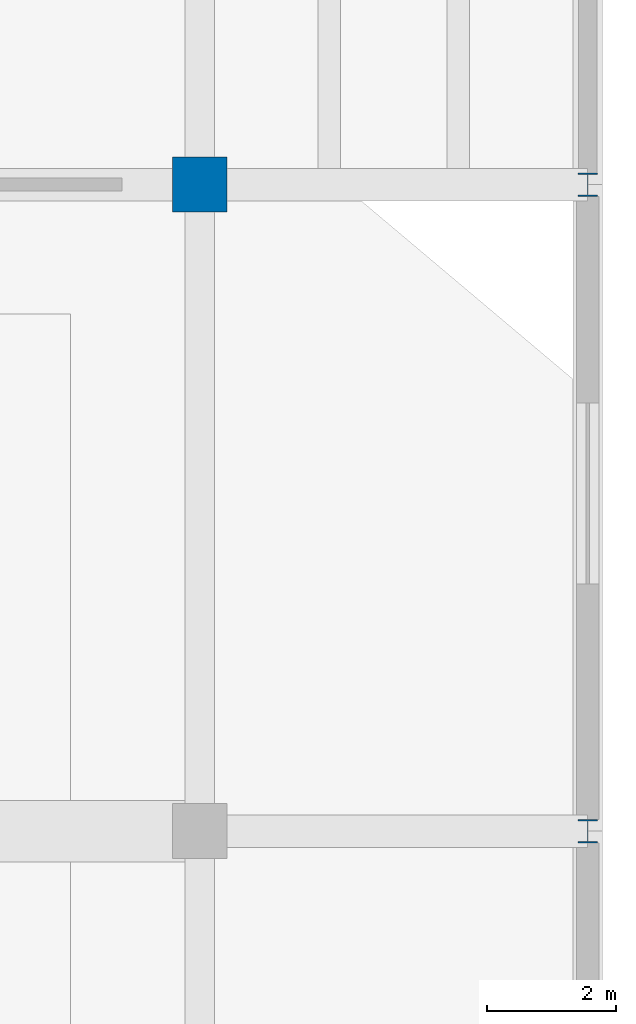
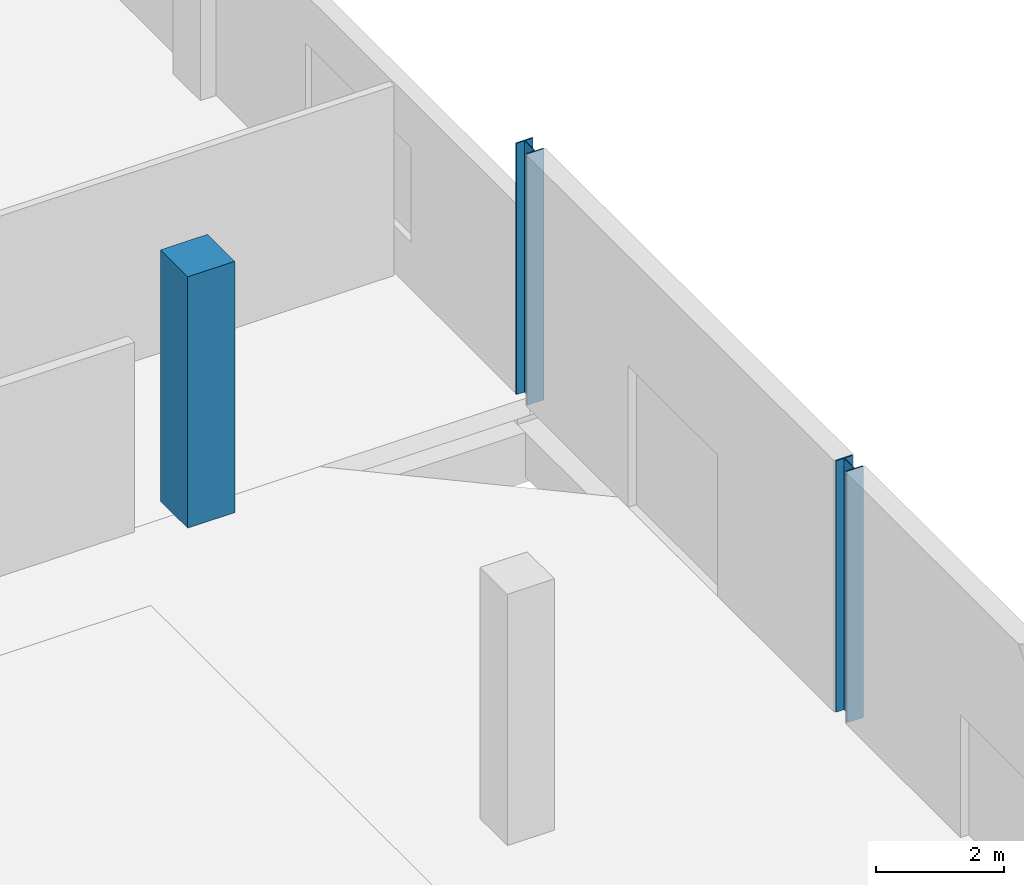
# One storey, part 4 of 87: 3 columns.
"""IFC4 building model written with IfcOpenShell, lengths in metres."""

from ifc_helpers import new_model, si_unit, direction, frame, origin, origin_2d, place, context, subcontext, project, spatial, rectangle, i_section, extrude, material, material_profile, profile_set, type_object, element, save


model = new_model("IFC4")

# Units and contexts
model_context = context("Model", 3, precision=1e-05, world=origin(), true_north=direction((0.0, 1.0)))
body_context = subcontext(model_context, "Body", "Model", "MODEL_VIEW")
ifc_project = project(units=[si_unit("LENGTHUNIT", "METRE"), si_unit("AREAUNIT", "SQUARE_METRE"), si_unit("VOLUMEUNIT", "CUBIC_METRE"), si_unit("PLANEANGLEUNIT", "RADIAN"), si_unit("MASSUNIT", "GRAM", prefix="KILO")], contexts=[model_context])

# Site, building, storey
site_placement = place(None, origin())
site = spatial("IfcSite", under=ifc_project, at=site_placement, CompositionType="ELEMENT")
building_placement = place(site_placement, origin())
building = spatial("IfcBuilding", under=site, at=building_placement, Name="Mersad Railyard Sports Hall", CompositionType="ELEMENT")
storey_placement = place(building_placement, origin())
storey = spatial("IfcBuildingStorey", under=building, at=storey_placement, Name="L00", CompositionType="ELEMENT", Elevation=0.0)

# Columns
ifc_material_1 = material(Name="Concrete C50/60", Category="concrete")
ifc_material_profile_1 = material_profile(ifc_material_1, rectangle(XDim=0.85009765625, YDim=0.85009765625, at=origin_2d()), Name="RC 850x850")
ifc_profile_set_1 = profile_set([ifc_material_profile_1], Name="Concrete C50/60")
column_type_1 = type_object("IfcColumnType", Name="STR-COL-C02", PredefinedType="COLUMN", material=ifc_profile_set_1)
column_placement = place(storey_placement, frame((173.0, 95.0, 0.0), z_axis=(0.0, 0.0, 1.0), x_axis=(1.0, 0.0, 0.0)))
element("IfcColumn", 1, at=column_placement, inside=storey, type_object=column_type_1, Name="Column C02 L00 (173.0,95.0)", PredefinedType="COLUMN", context=body_context, shape_type="SweptSolid", body=[
    extrude(rectangle(XDim=0.85009765625, YDim=0.85009765625, at=origin_2d()), origin(), (0.0, 0.0, 1.0), 4.800048828125),
])
ifc_material_2 = material(Name="Steel S355", Category="steel")
ifc_material_profile_2 = material_profile(ifc_material_2, i_section(OverallWidth=0.300048828125, OverallDepth=0.360107421875, WebThickness=0.012451171875, FlangeThickness=0.0224609375, at=origin_2d()), Name="HEB 360")
ifc_profile_set_2 = profile_set([ifc_material_profile_2], Name="Steel S355")
column_type_2 = type_object("IfcColumnType", Name="STR-COL-C11", PredefinedType="COLUMN", material=ifc_profile_set_2)
for number, where, z_axis, x_axis, name in (
    (2, (179.0, 85.0, 0.0), (0.0, 0.0, 1.0), (1.0, 0.0, 0.0), "Column C11 L00 (179.0,85.0)"),
    (3, (179.0, 95.0, 0.0), (0.0, 0.0, 1.0), (1.0, 0.0, 0.0), "Column C11 L00 (179.0,95.0)"),
):
    element("IfcColumn", number, at=place(storey_placement, frame(where, z_axis=z_axis, x_axis=x_axis)), inside=storey, type_object=column_type_2, Name=name, PredefinedType="COLUMN", context=body_context, shape_type="SweptSolid", body=[
        extrude(i_section(OverallWidth=0.300048828125, OverallDepth=0.360107421875, WebThickness=0.012451171875, FlangeThickness=0.0224609375, at=origin_2d()), origin(), (0.0, 0.0, 1.0), 4.800048828125),
    ])

save(model, "model.ifc")
